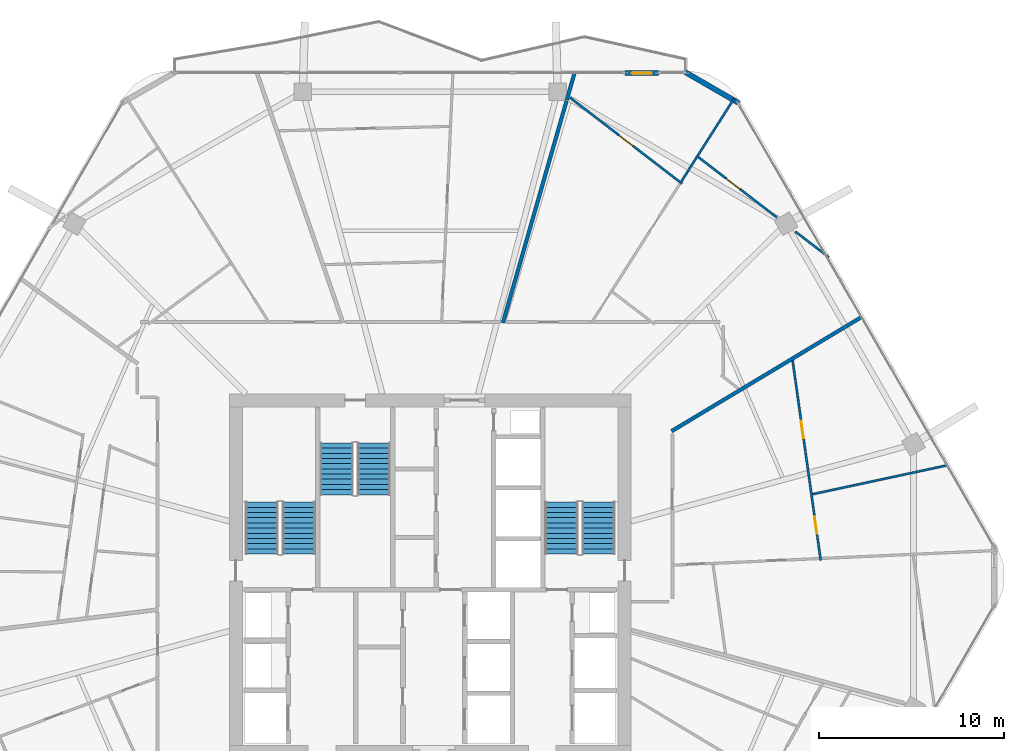
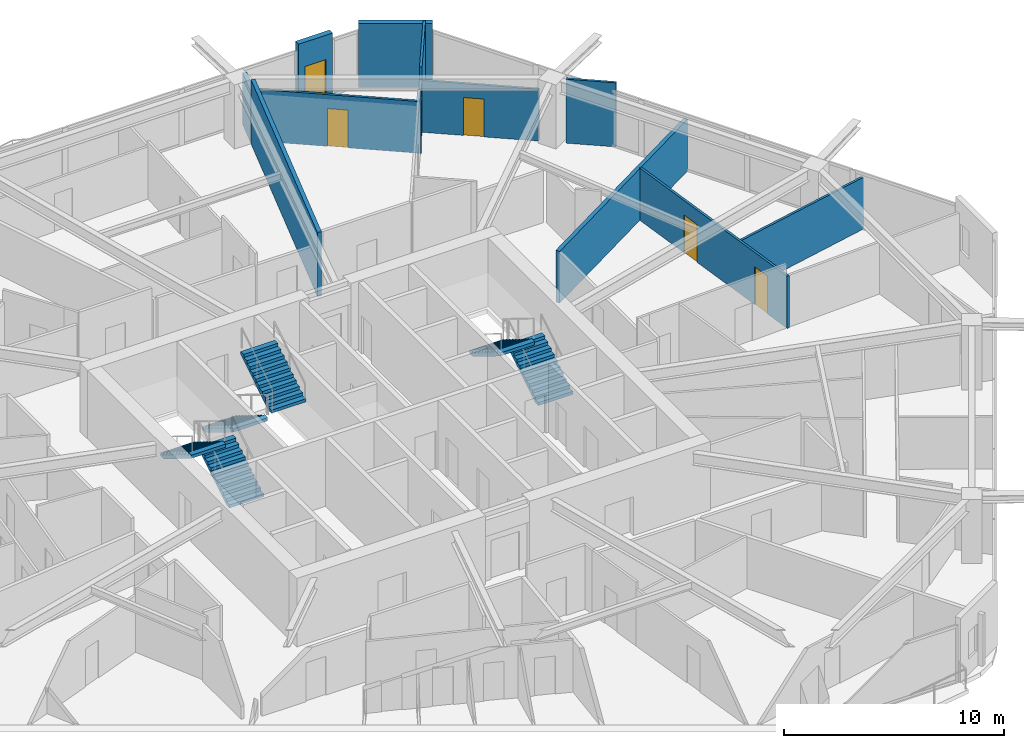
# One storey, part 23 of 25: 12 walls, 6 stair flights, 5 doors, 5 openings, 3 elements without a shape of their own.
"""IFC4 building model written with IfcOpenShell, lengths in metres."""

from ifc_helpers import new_model, si_unit, direction, frame, frame_2d, origin, place, context, subcontext, project, spatial, polyline, rectangle, outline, extrude, material, layer, layer_set, type_object, element, fill, aggregate, save


model = new_model("IFC4")

# Units and contexts
model_context = context("Model", 3, precision=1e-05, world=origin(), true_north=direction((0.0, 1.0)))
body_context = subcontext(model_context, "Body", "Model", "MODEL_VIEW")
ifc_project = project(units=[si_unit("LENGTHUNIT", "METRE"), si_unit("AREAUNIT", "SQUARE_METRE"), si_unit("VOLUMEUNIT", "CUBIC_METRE"), si_unit("PLANEANGLEUNIT", "RADIAN"), si_unit("MASSUNIT", "GRAM", prefix="KILO")], contexts=[model_context])

# Site, building, storey
site_placement = place(None, origin())
site = spatial("IfcSite", under=ifc_project, at=site_placement, CompositionType="ELEMENT")
building_placement = place(site_placement, origin())
building = spatial("IfcBuilding", under=site, at=building_placement, Name="Zuhravey Tower", CompositionType="ELEMENT")
storey_placement = place(building_placement, frame((0.0, 0.0, 196.0)))
storey = spatial("IfcBuildingStorey", under=building, at=storey_placement, Name="L49", CompositionType="ELEMENT", Elevation=196.0)

# Wall, opening, door
ifc_material_1 = material(Name="Precast concrete C40/50", Category="concrete")
ifc_layer_1 = layer(ifc_material_1, 0.280029296875)
ifc_layer_set_1 = layer_set([ifc_layer_1], Name="Precast concrete C40/50")
wall_type_1 = type_object("IfcWallType", Name="Crown Architectural Wall 280", PredefinedType="SOLIDWALL", material=ifc_layer_set_1)
wall_1_placement = place(storey_placement, frame((46.53369140625, 59.18310546875, 0.0), z_axis=(0.0, 0.0, 1.0), x_axis=(1.0, 0.0, 0.0)))
wall_1 = element("IfcWall", 1, at=wall_1_placement, inside=storey, type_object=wall_type_1, Name="L49 Face 2 Facade Pier EW28-1", PredefinedType="SOLIDWALL", context=body_context, shape_type="SweptSolid", body=[
    extrude(rectangle(XDim=1.7900390625, YDim=0.280029296875, at=frame_2d((0.89501953125, 0.0))), origin(), (0.0, 0.0, 1.0), 3.550048828125),
])
opening_1_placement = place(wall_1_placement, frame((0.344970703125, 0.0, 0.0)))
opening_1 = element("IfcOpeningElement", 2, at=opening_1_placement, cuts=wall_1, Name="Opening BLD1", PredefinedType="OPENING", context=body_context, shape_type="SweptSolid", body=[
    extrude(rectangle(XDim=1.10009765625, YDim=2.199951171875, at=frame_2d((0.550048828125, 1.10009765625))), frame((0.0, 0.152099609375, 0.0), z_axis=(0.0, -1.0, 0.0), x_axis=(1.0, 0.0, 0.0)), (0.0, 0.0, 1.0), 0.303955078125),
])
ifc_material_2 = material(Name="Thermally broken aluminium and low-E glass", Category="aluminium")
door_type_1 = type_object("IfcDoorType", Name="Balcony & Sky-Tray Glazed Door 1100x2200", OperationType="NOTDEFINED", PredefinedType="DOOR", material=ifc_material_2)
door_1_placement = place(opening_1_placement, frame((1.10009765625, 0.0, 0.0), z_axis=(0.0, 0.0, 1.0), x_axis=(-1.0, 0.0, 0.0)))
door_1 = element("IfcDoor", 3, at=door_1_placement, inside=storey, type_object=door_type_1, Name="L49 Face 2 Wave Balcony Door", OperationType="SINGLE_SWING_RIGHT", OverallHeight=2.199951171875, OverallWidth=1.10009765625, PredefinedType="DOOR", context=body_context, shape_type="SweptSolid", body=[
    extrude(rectangle(XDim=1.10009765625, YDim=2.199951171875, at=frame_2d((0.550048828125, 1.10009765625))), frame((0.0, 0.02490234375, 0.0), z_axis=(0.0, -1.0, 0.0), x_axis=(1.0, 0.0, 0.0)), (0.0, 0.0, 1.0), 0.050048828125),
])
fill(opening_1, door_1)

# Walls
wall_2_placement = place(storey_placement, frame((49.77880859375, 59.230712890625, 0.0), z_axis=(0.0, 0.0, 1.0), x_axis=(0.866020068361, -0.500009241111, 0.0)))
element("IfcWall", 4, at=wall_2_placement, inside=storey, type_object=wall_type_1, Name="L49 Rounded Corner Closure Wall EW28-10", PredefinedType="SOLIDWALL", context=body_context, shape_type="SweptSolid", body=[
    extrude(rectangle(XDim=3.365234375, YDim=0.280029296875, at=frame_2d((1.6826171875, 0.0))), origin(), (0.0, 0.0, 1.0), 3.550048828125),
])
ifc_material_3 = material(Name="Gypsum double-stud party assembly")
ifc_layer_2 = layer(ifc_material_3, 0.199951171875)
ifc_layer_set_2 = layer_set([ifc_layer_2], Name="Gypsum double-stud party assembly")
wall_type_2 = type_object("IfcWallType", Name="Inter-Tenancy Party Wall 200", PredefinedType="PARTITIONING", material=ifc_layer_set_2)
wall_3_placement = place(storey_placement, frame((49.0400390625, 39.835205078125, 0.0), z_axis=(0.0, 0.0, 1.0), x_axis=(0.857165332012, 0.515041351346, 0.0)))
element("IfcWall", 5, at=wall_3_placement, inside=storey, type_object=wall_type_2, Name="L49 IW20 Partition 065", PredefinedType="PARTITIONING", context=body_context, shape_type="SweptSolid", body=[
    extrude(rectangle(XDim=11.974365234375, YDim=0.199951171875, at=frame_2d((5.9873046875, 0.0))), origin(), (0.0, 0.0, 1.0), 2.8701171875),
])
wall_4_placement = place(storey_placement, frame((39.925537109375, 45.68994140625, 0.0), z_axis=(0.0, 0.0, 1.0), x_axis=(0.275636294404, 0.961262000293, 0.0)))
element("IfcWall", 6, at=wall_4_placement, inside=storey, type_object=wall_type_2, Name="L49 IW20 Partition 071", PredefinedType="PARTITIONING", context=body_context, shape_type="SweptSolid", body=[
    extrude(rectangle(XDim=12.47119140625, YDim=0.199951171875, at=frame_2d((6.235595703125, 0.0))), origin(), (0.0, 0.0, 1.0), 3.550048828125),
])
wall_5_placement = place(storey_placement, frame((43.376953125, 57.726806640625, 0.0), z_axis=(0.0, 0.0, 1.0), x_axis=(0.275721302425, 0.961237620669, 0.0)))
element("IfcWall", 7, at=wall_5_placement, inside=storey, type_object=wall_type_2, Name="L49 IW20 Partition 072", PredefinedType="PARTITIONING", context=body_context, shape_type="SweptSolid", body=[
    extrude(rectangle(XDim=1.51513671875, YDim=0.199951171875, at=frame_2d((0.757568359375, 0.0))), origin(), (0.0, 0.0, 1.0), 2.8701171875),
])

# Wall, opening, door
ifc_material_4 = material(Name="Gypsum metal-stud partition")
ifc_layer_3 = layer(ifc_material_4, 0.1201171875)
ifc_layer_set_3 = layer_set([ifc_layer_3], Name="Gypsum metal-stud partition")
wall_type_3 = type_object("IfcWallType", Name="Unit Internal Partition 120", PredefinedType="PARTITIONING", material=ifc_layer_set_3)
wall_6_placement = place(storey_placement, frame((49.608642578125, 53.207763671875, 0.0), z_axis=(0.0, 0.0, 1.0), x_axis=(-0.793348849006, 0.608767282121, 0.0)))
wall_6 = element("IfcWall", 8, at=wall_6_placement, inside=storey, type_object=wall_type_3, Name="L49 IW12 Partition 019", PredefinedType="PARTITIONING", context=body_context, shape_type="SweptSolid", body=[
    extrude(rectangle(XDim=7.6318359375, YDim=0.1201171875, at=frame_2d((3.81591796875, 0.0))), origin(), (0.0, 0.0, 1.0), 2.8701171875),
])
opening_2_placement = place(wall_6_placement, frame((3.3408203125, 0.0, 0.0)))
opening_2 = element("IfcOpeningElement", 9, at=opening_2_placement, cuts=wall_6, Name="Opening IND1", PredefinedType="OPENING", context=body_context, shape_type="SweptSolid", body=[
    extrude(rectangle(XDim=0.949951171875, YDim=2.10009765625, at=frame_2d((0.47509765625, 1.050048828125))), frame((0.0, 0.072021484375, 0.0), z_axis=(0.0, -1.0, 0.0), x_axis=(1.0, 0.0, 0.0)), (0.0, 0.0, 1.0), 0.14404296875),
])
ifc_material_5 = material(Name="Painted engineered timber leaf", Category="wood")
door_type_2 = type_object("IfcDoorType", Name="Internal Room & Bedroom Door 950x2100", OperationType="NOTDEFINED", PredefinedType="DOOR", material=ifc_material_5)
door_2_placement = place(opening_2_placement, frame((0.949951171875, 0.0, 0.0), z_axis=(0.0, 0.0, 1.0), x_axis=(-1.0, 0.0, 0.0)))
door_2 = element("IfcDoor", 10, at=door_2_placement, inside=storey, type_object=door_type_2, Name="Apartment L49-01 Family Study Door", OperationType="SINGLE_SWING_LEFT", OverallHeight=2.10009765625, OverallWidth=0.949951171875, PredefinedType="DOOR", context=body_context, shape_type="SweptSolid", body=[
    extrude(rectangle(XDim=0.949951171875, YDim=2.10009765625, at=frame_2d((0.47509765625, 1.050048828125))), frame((0.0, 0.02490234375, 0.0), z_axis=(0.0, -1.0, 0.0), x_axis=(1.0, 0.0, 0.0)), (0.0, 0.0, 1.0), 0.050048828125),
])
fill(opening_2, door_2)

# Wall
wall_7_placement = place(storey_placement, frame((49.565673828125, 53.326416015625, 0.0), z_axis=(0.0, 0.0, 1.0), x_axis=(0.53659490955, 0.843839974785, 0.0)))
element("IfcWall", 11, at=wall_7_placement, inside=storey, type_object=wall_type_3, Name="L49 IW12 Partition 022", PredefinedType="PARTITIONING", context=body_context, shape_type="SweptSolid", body=[
    extrude(rectangle(XDim=1.6328125, YDim=0.1201171875, at=frame_2d((0.81640625, 0.0))), origin(), (0.0, 0.0, 1.0), 2.8701171875),
])

# Wall, opening, door
wall_8_placement = place(storey_placement, frame((54.73046875, 51.38232421875, 0.0), z_axis=(0.0, 0.0, 1.0), x_axis=(-0.793330324721, 0.60879142231, 0.0)))
wall_8 = element("IfcWall", 12, at=wall_8_placement, inside=storey, type_object=wall_type_3, Name="L49 IW12 Partition 023", PredefinedType="PARTITIONING", context=body_context, shape_type="SweptSolid", body=[
    extrude(rectangle(XDim=5.35400390625, YDim=0.1201171875, at=frame_2d((2.677001953125, 0.0))), origin(), (0.0, 0.0, 1.0), 2.8701171875),
])
opening_3_placement = place(wall_8_placement, frame((2.50634765625, 0.0, 0.0)))
opening_3 = element("IfcOpeningElement", 13, at=opening_3_placement, cuts=wall_8, Name="Opening IND1", PredefinedType="OPENING", context=body_context, shape_type="SweptSolid", body=[
    extrude(rectangle(XDim=0.949951171875, YDim=2.10009765625, at=frame_2d((0.47509765625, 1.050048828125))), frame((0.0, 0.072021484375, 0.0), z_axis=(0.0, -1.0, 0.0), x_axis=(1.0, 0.0, 0.0)), (0.0, 0.0, 1.0), 0.14404296875),
])
door_3_placement = place(opening_3_placement, frame((0.949951171875, 0.0, 0.0), z_axis=(0.0, 0.0, 1.0), x_axis=(-1.0, 0.0, 0.0)))
door_3 = element("IfcDoor", 14, at=door_3_placement, inside=storey, type_object=door_type_2, Name="Apartment L49-01 Bedroom 1 Door", OperationType="SINGLE_SWING_RIGHT", OverallHeight=2.10009765625, OverallWidth=0.949951171875, PredefinedType="DOOR", context=body_context, shape_type="SweptSolid", body=[
    extrude(rectangle(XDim=0.949951171875, YDim=2.10009765625, at=frame_2d((0.47509765625, 1.050048828125))), frame((0.0, 0.02490234375, 0.0), z_axis=(0.0, -1.0, 0.0), x_axis=(1.0, 0.0, 0.0)), (0.0, 0.0, 1.0), 0.050048828125),
])
fill(opening_3, door_3)

# Wall, openings, doors
wall_9_placement = place(storey_placement, frame((57.095458984375, 32.85791015625, 0.0), z_axis=(0.0, 0.0, 1.0), x_axis=(-0.13917519047, 0.990267775078, 0.0)))
wall_9 = element("IfcWall", 15, at=wall_9_placement, inside=storey, type_object=wall_type_3, Name="L49 IW12 Partition 051", PredefinedType="PARTITIONING", context=body_context, shape_type="SweptSolid", body=[
    extrude(rectangle(XDim=10.89697265625, YDim=0.1201171875, at=frame_2d((5.448486328125, 0.0))), origin(), (0.0, 0.0, 1.0), 2.89990234375),
])
opening_4_placement = place(wall_9_placement, frame((1.443115234375, 0.0, 0.0)))
opening_4 = element("IfcOpeningElement", 16, at=opening_4_placement, cuts=wall_9, Name="Opening IND1", PredefinedType="OPENING", context=body_context, shape_type="SweptSolid", body=[
    extrude(rectangle(XDim=0.949951171875, YDim=2.10009765625, at=frame_2d((0.47509765625, 1.050048828125))), frame((0.0, 0.072021484375, 0.0), z_axis=(0.0, -1.0, 0.0), x_axis=(1.0, 0.0, 0.0)), (0.0, 0.0, 1.0), 0.14404296875),
])
opening_5_placement = place(wall_9_placement, frame((6.6513671875, 0.0, 0.0)))
opening_5 = element("IfcOpeningElement", 17, at=opening_5_placement, cuts=wall_9, Name="Opening IND1", PredefinedType="OPENING", context=body_context, shape_type="SweptSolid", body=[
    extrude(rectangle(XDim=0.949951171875, YDim=2.10009765625, at=frame_2d((0.47509765625, 1.050048828125))), frame((0.0, 0.072021484375, 0.0), z_axis=(0.0, -1.0, 0.0), x_axis=(1.0, 0.0, 0.0)), (0.0, 0.0, 1.0), 0.14404296875),
])
door_4_placement = place(opening_4_placement, frame((0.949951171875, 0.0, 0.0), z_axis=(0.0, 0.0, 1.0), x_axis=(-1.0, 0.0, 0.0)))
door_4 = element("IfcDoor", 18, at=door_4_placement, inside=storey, type_object=door_type_2, Name="Apartment L49-09 Family Study Door", OperationType="SINGLE_SWING_LEFT", OverallHeight=2.10009765625, OverallWidth=0.949951171875, PredefinedType="DOOR", context=body_context, shape_type="SweptSolid", body=[
    extrude(rectangle(XDim=0.949951171875, YDim=2.10009765625, at=frame_2d((0.47509765625, 1.050048828125))), frame((0.0, 0.02490234375, 0.0), z_axis=(0.0, -1.0, 0.0), x_axis=(1.0, 0.0, 0.0)), (0.0, 0.0, 1.0), 0.050048828125),
])
fill(opening_4, door_4)
door_5_placement = place(opening_5_placement, frame((0.949951171875, 0.0, 0.0), z_axis=(0.0, 0.0, 1.0), x_axis=(-1.0, 0.0, 0.0)))
door_5 = element("IfcDoor", 19, at=door_5_placement, inside=storey, type_object=door_type_2, Name="Apartment L49-09 Dining Room Door", OperationType="SINGLE_SWING_RIGHT", OverallHeight=2.10009765625, OverallWidth=0.949951171875, PredefinedType="DOOR", context=body_context, shape_type="SweptSolid", body=[
    extrude(rectangle(XDim=0.949951171875, YDim=2.10009765625, at=frame_2d((0.47509765625, 1.050048828125))), frame((0.0, 0.02490234375, 0.0), z_axis=(0.0, -1.0, 0.0), x_axis=(1.0, 0.0, 0.0)), (0.0, 0.0, 1.0), 0.050048828125),
])
fill(opening_5, door_5)

# Walls
wall_10_placement = place(storey_placement, frame((50.44189453125, 54.704345703125, 0.0), z_axis=(0.0, 0.0, 1.0), x_axis=(0.536696164754, 0.84377557842, 0.0)))
element("IfcWall", 20, at=wall_10_placement, inside=storey, type_object=wall_type_3, Name="L49 IW12 Partition 067", PredefinedType="PARTITIONING", context=body_context, shape_type="SweptSolid", body=[
    extrude(rectangle(XDim=3.7001953125, YDim=0.1201171875, at=frame_2d((1.85009765625, 0.0))), origin(), (0.0, 0.0, 1.0), 3.550048828125),
])
wall_11_placement = place(storey_placement, frame((57.531005859375, 49.2333984375, 0.0), z_axis=(0.0, 0.0, 1.0), x_axis=(-0.793327349117, 0.608795299869, 0.0)))
element("IfcWall", 21, at=wall_11_placement, inside=storey, type_object=wall_type_3, Name="L49 IW12 Partition 070", PredefinedType="PARTITIONING", context=body_context, shape_type="SweptSolid", body=[
    extrude(rectangle(XDim=2.2822265625, YDim=0.1201171875, at=frame_2d((1.14111328125, 0.0))), origin(), (0.0, 0.0, 1.0), 3.550048828125),
])
wall_12_placement = place(storey_placement, frame((56.661865234375, 36.432373046875, 0.0), z_axis=(0.0, 0.0, 1.0), x_axis=(0.977753085035, 0.209759158811, 0.0)))
element("IfcWall", 22, at=wall_12_placement, inside=storey, type_object=wall_type_3, Name="L49 IW12 Partition 115", PredefinedType="PARTITIONING", context=body_context, shape_type="SweptSolid", body=[
    extrude(rectangle(XDim=7.464111328125, YDim=0.1201171875, at=frame_2d((3.73193359375, 0.0))), origin(), (0.0, 0.0, 1.0), 2.8701171875),
])

# Stair, stair flights
ifc_material_6 = material(Name="Concrete C40/50", Category="concrete")
stair_type = type_object("IfcStairType", Name="Housing Storey Stair Assembly 3800", PredefinedType="HALF_TURN_STAIR", material=ifc_material_6)
stair_1_placement = place(storey_placement, origin())
stair_1 = element("IfcStair", 23, at=stair_1_placement, inside=storey, type_object=stair_type, Name="L49 Core Exit Stair ST1", PredefinedType="HALF_TURN_STAIR")
stair_flight_type = type_object("IfcStairFlightType", Name="Housing Storey Stair Flight 3800", PredefinedType="STRAIGHT", material=ifc_material_6)
stair_flight_1_placement = place(storey_placement, frame((28.89990234375, 33.199951171875, 0.0), z_axis=(0.0, 0.0, 1.0), x_axis=(0.0, 1.0, 0.0)))
stair_flight_1 = element("IfcStairFlight", 24, at=stair_flight_1_placement, type_object=stair_flight_type, Name="ST1 flight 1", NumberOfRisers=11, NumberOfTreads=10, PredefinedType="STRAIGHT", RiserHeight=0.172727273, TreadLength=0.28, context=body_context, shape_type="SweptSolid", body=[
    extrude(outline(polyline([(0.0, 0.0), (0.0, 0.172607421875), (0.280029296875, 0.172607421875), (0.280029296875, 0.345458984375), (0.56005859375, 0.345458984375), (0.56005859375, 0.51806640625), (0.840087890625, 0.51806640625), (0.840087890625, 0.69091796875), (1.1201171875, 0.69091796875), (1.1201171875, 0.863525390625), (1.39990234375, 0.863525390625), (1.39990234375, 1.036376953125), (1.679931640625, 1.036376953125), (1.679931640625, 1.208984375), (1.9599609375, 1.208984375), (1.9599609375, 1.3818359375), (2.239990234375, 1.3818359375), (2.239990234375, 1.554443359375), (2.52001953125, 1.554443359375), (2.52001953125, 1.727294921875), (2.800048828125, 1.727294921875), (2.800048828125, 1.89990234375), (2.800048828125, 1.551025390625), (0.285400390625, 0.0), (0.0, 0.0)])), frame((0.0, 0.89990234375, 0.0), z_axis=(0.0, -1.0, 0.0), x_axis=(1.0, 0.0, 0.0)), (0.0, 0.0, 1.0), 1.800048828125),
])
stair_flight_2_placement = place(storey_placement, frame((26.89990234375, 36.0, 1.89990234375), z_axis=(0.0, 0.0, 1.0), x_axis=(0.0, -1.0, 0.0)))
stair_flight_2 = element("IfcStairFlight", 25, at=stair_flight_2_placement, type_object=stair_flight_type, Name="ST1 flight 2", NumberOfRisers=11, NumberOfTreads=10, PredefinedType="STRAIGHT", RiserHeight=0.172727273, TreadLength=0.28, context=body_context, shape_type="SweptSolid", body=[
    extrude(outline(polyline([(0.0, 0.0), (0.0, 0.172607421875), (0.280029296875, 0.172607421875), (0.280029296875, 0.345458984375), (0.56005859375, 0.345458984375), (0.56005859375, 0.51806640625), (0.840087890625, 0.51806640625), (0.840087890625, 0.69091796875), (1.1201171875, 0.69091796875), (1.1201171875, 0.863525390625), (1.39990234375, 0.863525390625), (1.39990234375, 1.036376953125), (1.679931640625, 1.036376953125), (1.679931640625, 1.208984375), (1.9599609375, 1.208984375), (1.9599609375, 1.3818359375), (2.239990234375, 1.3818359375), (2.239990234375, 1.554443359375), (2.52001953125, 1.554443359375), (2.52001953125, 1.727294921875), (2.800048828125, 1.727294921875), (2.800048828125, 1.89990234375), (2.800048828125, 1.551025390625), (0.285400390625, 0.0), (0.0, 0.0)])), frame((0.0, 0.89990234375, 0.0), z_axis=(0.0, -1.0, 0.0), x_axis=(1.0, 0.0, 0.0)), (0.0, 0.0, 1.0), 1.800048828125),
])
aggregate(stair_1, [stair_flight_1, stair_flight_2])

stair_2_placement = place(storey_placement, origin())
stair_2 = element("IfcStair", 26, at=stair_2_placement, inside=storey, type_object=stair_type, Name="L49 Core Exit Stair ST2", PredefinedType="HALF_TURN_STAIR")
stair_flight_3_placement = place(storey_placement, frame((45.10009765625, 33.199951171875, 0.0), z_axis=(0.0, 0.0, 1.0), x_axis=(0.0, 1.0, 0.0)))
stair_flight_3 = element("IfcStairFlight", 27, at=stair_flight_3_placement, type_object=stair_flight_type, Name="ST2 flight 1", NumberOfRisers=11, NumberOfTreads=10, PredefinedType="STRAIGHT", RiserHeight=0.172727273, TreadLength=0.28, context=body_context, shape_type="SweptSolid", body=[
    extrude(outline(polyline([(0.0, 0.0), (0.0, 0.172607421875), (0.280029296875, 0.172607421875), (0.280029296875, 0.345458984375), (0.56005859375, 0.345458984375), (0.56005859375, 0.51806640625), (0.840087890625, 0.51806640625), (0.840087890625, 0.69091796875), (1.1201171875, 0.69091796875), (1.1201171875, 0.863525390625), (1.39990234375, 0.863525390625), (1.39990234375, 1.036376953125), (1.679931640625, 1.036376953125), (1.679931640625, 1.208984375), (1.9599609375, 1.208984375), (1.9599609375, 1.3818359375), (2.239990234375, 1.3818359375), (2.239990234375, 1.554443359375), (2.52001953125, 1.554443359375), (2.52001953125, 1.727294921875), (2.800048828125, 1.727294921875), (2.800048828125, 1.89990234375), (2.800048828125, 1.551025390625), (0.285400390625, 0.0), (0.0, 0.0)])), frame((0.0, 0.89990234375, 0.0), z_axis=(0.0, -1.0, 0.0), x_axis=(1.0, 0.0, 0.0)), (0.0, 0.0, 1.0), 1.800048828125),
])
stair_flight_4_placement = place(storey_placement, frame((43.10009765625, 36.0, 1.89990234375), z_axis=(0.0, 0.0, 1.0), x_axis=(0.0, -1.0, 0.0)))
stair_flight_4 = element("IfcStairFlight", 28, at=stair_flight_4_placement, type_object=stair_flight_type, Name="ST2 flight 2", NumberOfRisers=11, NumberOfTreads=10, PredefinedType="STRAIGHT", RiserHeight=0.172727273, TreadLength=0.28, context=body_context, shape_type="SweptSolid", body=[
    extrude(outline(polyline([(0.0, 0.0), (0.0, 0.172607421875), (0.280029296875, 0.172607421875), (0.280029296875, 0.345458984375), (0.56005859375, 0.345458984375), (0.56005859375, 0.51806640625), (0.840087890625, 0.51806640625), (0.840087890625, 0.69091796875), (1.1201171875, 0.69091796875), (1.1201171875, 0.863525390625), (1.39990234375, 0.863525390625), (1.39990234375, 1.036376953125), (1.679931640625, 1.036376953125), (1.679931640625, 1.208984375), (1.9599609375, 1.208984375), (1.9599609375, 1.3818359375), (2.239990234375, 1.3818359375), (2.239990234375, 1.554443359375), (2.52001953125, 1.554443359375), (2.52001953125, 1.727294921875), (2.800048828125, 1.727294921875), (2.800048828125, 1.89990234375), (2.800048828125, 1.551025390625), (0.285400390625, 0.0), (0.0, 0.0)])), frame((0.0, 0.89990234375, 0.0), z_axis=(0.0, -1.0, 0.0), x_axis=(1.0, 0.0, 0.0)), (0.0, 0.0, 1.0), 1.800048828125),
])
aggregate(stair_2, [stair_flight_3, stair_flight_4])

stair_3_placement = place(storey_placement, origin())
stair_3 = element("IfcStair", 29, at=stair_3_placement, inside=storey, type_object=stair_type, Name="L49 Core Exit Stair ST3", PredefinedType="HALF_TURN_STAIR")
stair_flight_5_placement = place(storey_placement, frame((30.949951171875, 39.199951171875, 0.0), z_axis=(0.0, 0.0, 1.0), x_axis=(0.0, -1.0, 0.0)))
stair_flight_5 = element("IfcStairFlight", 30, at=stair_flight_5_placement, type_object=stair_flight_type, Name="ST3 flight 1", NumberOfRisers=11, NumberOfTreads=10, PredefinedType="STRAIGHT", RiserHeight=0.172727273, TreadLength=0.28, context=body_context, shape_type="SweptSolid", body=[
    extrude(outline(polyline([(0.0, 0.0), (0.0, 0.172607421875), (0.280029296875, 0.172607421875), (0.280029296875, 0.345458984375), (0.56005859375, 0.345458984375), (0.56005859375, 0.51806640625), (0.840087890625, 0.51806640625), (0.840087890625, 0.69091796875), (1.1201171875, 0.69091796875), (1.1201171875, 0.863525390625), (1.39990234375, 0.863525390625), (1.39990234375, 1.036376953125), (1.679931640625, 1.036376953125), (1.679931640625, 1.208984375), (1.9599609375, 1.208984375), (1.9599609375, 1.3818359375), (2.239990234375, 1.3818359375), (2.239990234375, 1.554443359375), (2.52001953125, 1.554443359375), (2.52001953125, 1.727294921875), (2.800048828125, 1.727294921875), (2.800048828125, 1.89990234375), (2.800048828125, 1.551025390625), (0.285400390625, 0.0), (0.0, 0.0)])), frame((0.0, 0.89990234375, 0.0), z_axis=(0.0, -1.0, 0.0), x_axis=(1.0, 0.0, 0.0)), (0.0, 0.0, 1.0), 1.800048828125),
])
stair_flight_6_placement = place(storey_placement, frame((32.949951171875, 36.39990234375, 1.89990234375), z_axis=(0.0, 0.0, 1.0), x_axis=(0.0, 1.0, 0.0)))
stair_flight_6 = element("IfcStairFlight", 31, at=stair_flight_6_placement, type_object=stair_flight_type, Name="ST3 flight 2", NumberOfRisers=11, NumberOfTreads=10, PredefinedType="STRAIGHT", RiserHeight=0.172727273, TreadLength=0.28, context=body_context, shape_type="SweptSolid", body=[
    extrude(outline(polyline([(0.0, 0.0), (0.0, 0.172607421875), (0.280029296875, 0.172607421875), (0.280029296875, 0.345458984375), (0.56005859375, 0.345458984375), (0.56005859375, 0.51806640625), (0.840087890625, 0.51806640625), (0.840087890625, 0.69091796875), (1.1201171875, 0.69091796875), (1.1201171875, 0.863525390625), (1.39990234375, 0.863525390625), (1.39990234375, 1.036376953125), (1.679931640625, 1.036376953125), (1.679931640625, 1.208984375), (1.9599609375, 1.208984375), (1.9599609375, 1.3818359375), (2.239990234375, 1.3818359375), (2.239990234375, 1.554443359375), (2.52001953125, 1.554443359375), (2.52001953125, 1.727294921875), (2.800048828125, 1.727294921875), (2.800048828125, 1.89990234375), (2.800048828125, 1.551025390625), (0.285400390625, 0.0), (0.0, 0.0)])), frame((0.0, 0.89990234375, 0.0), z_axis=(0.0, -1.0, 0.0), x_axis=(1.0, 0.0, 0.0)), (0.0, 0.0, 1.0), 1.800048828125),
])
aggregate(stair_3, [stair_flight_5, stair_flight_6])

save(model, "model.ifc")
